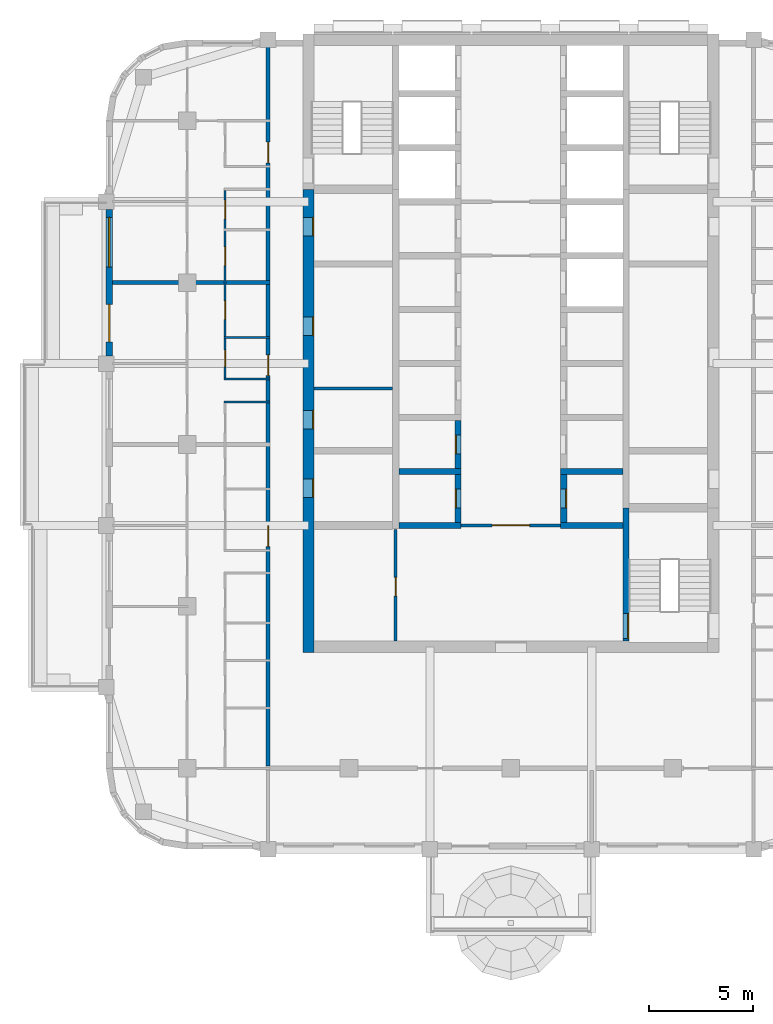
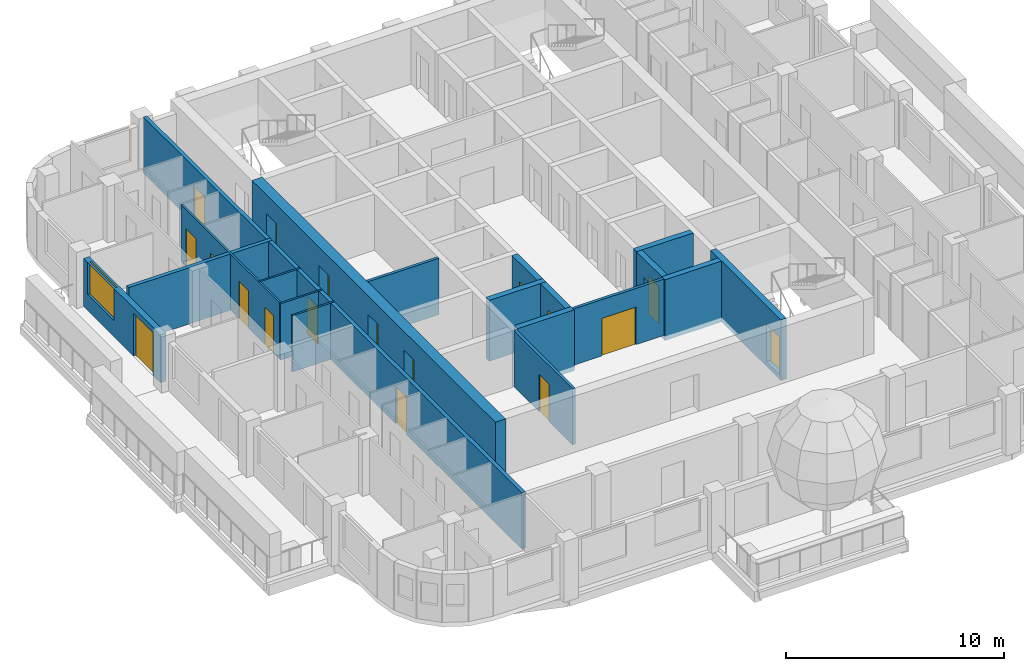
# One storey, part 4 of 14: 19 walls, 18 doors, 1 window, 19 openings.
"""IFC4 building model written with IfcOpenShell, lengths in metres."""

from ifc_helpers import new_model, si_unit, direction, frame, frame_2d, origin, place, context, subcontext, project, spatial, rectangle, extrude, material, layer, layer_set, type_object, element, fill, save


model = new_model("IFC4")

# Units and contexts
model_context = context("Model", 3, precision=1e-05, world=origin(), true_north=direction((0.0, 1.0)))
body_context = subcontext(model_context, "Body", "Model", "MODEL_VIEW")
ifc_project = project(units=[si_unit("LENGTHUNIT", "METRE"), si_unit("AREAUNIT", "SQUARE_METRE"), si_unit("VOLUMEUNIT", "CUBIC_METRE"), si_unit("PLANEANGLEUNIT", "RADIAN"), si_unit("MASSUNIT", "GRAM", prefix="KILO")], contexts=[model_context])

# Site, building, storey
site_placement = place(None, origin())
site = spatial("IfcSite", under=ifc_project, at=site_placement, CompositionType="ELEMENT")
building_placement = place(site_placement, origin())
building = spatial("IfcBuilding", under=site, at=building_placement, Name="Ludao Terraces", CompositionType="ELEMENT")
storey_placement = place(building_placement, frame((0.0, 0.0, 182.60009765625)))
storey = spatial("IfcBuildingStorey", under=building, at=storey_placement, Name="L49", CompositionType="ELEMENT", Elevation=182.60009765625)

# Wall, openings, doors
ifc_material_1 = material(Name="Concrete C60", Category="concrete")
ifc_layer_1 = layer(ifc_material_1, 0.550048828125)
ifc_layer_set_1 = layer_set([ifc_layer_1], Name="Core wall 550 C60")
wall_type_1 = type_object("IfcWallType", Name="Core wall 550 C60", PredefinedType="SOLIDWALL", material=ifc_layer_set_1)
wall_1_placement = place(storey_placement, frame((75.25, 54.97509765625, -0.25), z_axis=(0.0, 0.0, 1.0), x_axis=(0.0, 1.0, 0.0)))
wall_1 = element("IfcWall", 1, at=wall_1_placement, inside=storey, type_object=wall_type_1, Name="Core wall L49 outer-W", PredefinedType="SOLIDWALL", context=body_context, shape_type="SweptSolid", body=[
    extrude(rectangle(XDim=22.324951171875, YDim=0.550048828125, at=frame_2d((11.16259765625, 0.0))), origin(), (0.0, 0.0, 1.0), 3.39990234375),
])
opening_1_placement = place(wall_1_placement, frame((7.47509765625, 0.0, 0.25)))
opening_1 = element("IfcOpeningElement", 2, at=opening_1_placement, cuts=wall_1, Name="Opening R17-032", PredefinedType="OPENING", context=body_context, shape_type="SweptSolid", body=[
    extrude(rectangle(XDim=0.89990234375, YDim=2.10009765625, at=frame_2d((0.449951171875, 1.050048828125))), frame((0.0, 0.28515625, 0.0), z_axis=(0.0, -1.0, 0.0), x_axis=(1.0, 0.0, 0.0)), (0.0, 0.0, 1.0), 0.570068359375),
])
opening_2_placement = place(wall_1_placement, frame((10.77490234375, 0.0, 0.25)))
opening_2 = element("IfcOpeningElement", 3, at=opening_2_placement, cuts=wall_1, Name="Opening R17-041", PredefinedType="OPENING", context=body_context, shape_type="SweptSolid", body=[
    extrude(rectangle(XDim=0.89990234375, YDim=2.10009765625, at=frame_2d((0.449951171875, 1.050048828125))), frame((0.0, 0.28515625, 0.0), z_axis=(0.0, -1.0, 0.0), x_axis=(1.0, 0.0, 0.0)), (0.0, 0.0, 1.0), 0.570068359375),
])
opening_3_placement = place(wall_1_placement, frame((15.27490234375, 0.0, 0.25)))
opening_3 = element("IfcOpeningElement", 4, at=opening_3_placement, cuts=wall_1, Name="Opening R17-051", PredefinedType="OPENING", context=body_context, shape_type="SweptSolid", body=[
    extrude(rectangle(XDim=0.89990234375, YDim=2.10009765625, at=frame_2d((0.449951171875, 1.050048828125))), frame((0.0, 0.28515625, 0.0), z_axis=(0.0, -1.0, 0.0), x_axis=(1.0, 0.0, 0.0)), (0.0, 0.0, 1.0), 0.570068359375),
])
opening_4_placement = place(wall_1_placement, frame((20.074951171875, 0.0, 0.25)))
opening_4 = element("IfcOpeningElement", 5, at=opening_4_placement, cuts=wall_1, Name="Opening R17-066", PredefinedType="OPENING", context=body_context, shape_type="SweptSolid", body=[
    extrude(rectangle(XDim=0.89990234375, YDim=2.10009765625, at=frame_2d((0.449951171875, 1.050048828125))), frame((0.0, 0.28515625, 0.0), z_axis=(0.0, -1.0, 0.0), x_axis=(1.0, 0.0, 0.0)), (0.0, 0.0, 1.0), 0.570068359375),
])
ifc_material_2 = material(Name="Steel Q235", Category="steel")
door_type_1 = type_object("IfcDoorType", Name="INT Riser door 900", OperationType="SINGLE_SWING_LEFT", PredefinedType="DOOR", material=ifc_material_2)
door_1_placement = place(opening_1_placement, origin())
door_1 = element("IfcDoor", 6, at=door_1_placement, inside=storey, type_object=door_type_1, Name="DOOR 032", OperationType="SINGLE_SWING_RIGHT", OverallHeight=2.10009765625, OverallWidth=0.89990234375, PredefinedType="DOOR", context=body_context, shape_type="SweptSolid", body=[
    extrude(rectangle(XDim=0.89990234375, YDim=2.10009765625, at=frame_2d((0.449951171875, 1.050048828125))), frame((0.0, -0.2099609375, 0.0), z_axis=(0.0, -1.0, 0.0), x_axis=(1.0, 0.0, 0.0)), (0.0, 0.0, 1.0), 0.050048828125),
])
fill(opening_1, door_1)
door_2_placement = place(opening_4_placement, origin())
door_2 = element("IfcDoor", 7, at=door_2_placement, inside=storey, type_object=door_type_1, Name="DOOR 066", OperationType="SINGLE_SWING_RIGHT", OverallHeight=2.10009765625, OverallWidth=0.89990234375, PredefinedType="DOOR", context=body_context, shape_type="SweptSolid", body=[
    extrude(rectangle(XDim=0.89990234375, YDim=2.10009765625, at=frame_2d((0.449951171875, 1.050048828125))), frame((0.0, -0.2099609375, 0.0), z_axis=(0.0, -1.0, 0.0), x_axis=(1.0, 0.0, 0.0)), (0.0, 0.0, 1.0), 0.050048828125),
])
fill(opening_4, door_2)
ifc_material_3 = material(Name="Timber door leaf", Category="wood")
door_type_2 = type_object("IfcDoorType", Name="INT Room door 900", OperationType="SINGLE_SWING_LEFT", PredefinedType="DOOR", material=ifc_material_3)
door_3_placement = place(opening_2_placement, origin())
door_3 = element("IfcDoor", 8, at=door_3_placement, inside=storey, type_object=door_type_2, Name="DOOR 041", OperationType="SINGLE_SWING_RIGHT", OverallHeight=2.10009765625, OverallWidth=0.89990234375, PredefinedType="DOOR", context=body_context, shape_type="SweptSolid", body=[
    extrude(rectangle(XDim=0.89990234375, YDim=2.10009765625, at=frame_2d((0.449951171875, 1.050048828125))), frame((0.0, -0.2099609375, 0.0), z_axis=(0.0, -1.0, 0.0), x_axis=(1.0, 0.0, 0.0)), (0.0, 0.0, 1.0), 0.050048828125),
])
fill(opening_2, door_3)
door_4_placement = place(opening_3_placement, origin())
door_4 = element("IfcDoor", 9, at=door_4_placement, inside=storey, type_object=door_type_2, Name="DOOR 051", OperationType="SINGLE_SWING_LEFT", OverallHeight=2.10009765625, OverallWidth=0.89990234375, PredefinedType="DOOR", context=body_context, shape_type="SweptSolid", body=[
    extrude(rectangle(XDim=0.89990234375, YDim=2.10009765625, at=frame_2d((0.449951171875, 1.050048828125))), frame((0.0, -0.2099609375, 0.0), z_axis=(0.0, -1.0, 0.0), x_axis=(1.0, 0.0, 0.0)), (0.0, 0.0, 1.0), 0.050048828125),
])
fill(opening_3, door_4)

# Wall, openings, door, window
ifc_material_4 = material(Name="Granite cladding", Category="masonry")
ifc_layer_2 = layer(ifc_material_4, 0.0400390625, Category="stone")
ifc_material_5 = material(Name="Mineral wool")
ifc_layer_3 = layer(ifc_material_5, 0.06005859375)
ifc_material_6 = material(Name="Concrete C40", Category="concrete")
ifc_layer_4 = layer(ifc_material_6, 0.199951171875, Category="concrete")
ifc_layer_set_2 = layer_set([ifc_layer_2, ifc_layer_3, ifc_layer_4], Name="ENV Stone-clad wall 300")
wall_type_2 = type_object("IfcWallType", Name="ENV Stone-clad wall 300", PredefinedType="SOLIDWALL", material=ifc_layer_set_2)
wall_2_placement = place(storey_placement, frame((65.64990234375, 69.27490234375, 0.0), z_axis=(0.0, 0.0, 1.0), x_axis=(0.0, 1.0, 0.0)))
wall_2 = element("IfcWall", 10, at=wall_2_placement, inside=storey, type_object=wall_type_2, Name="EW-L49-W4", PredefinedType="SOLIDWALL", context=body_context, shape_type="SweptSolid", body=[
    extrude(rectangle(XDim=7.050048828125, YDim=0.300048828125, at=frame_2d((3.52490234375, 0.0))), origin(), (0.0, 0.0, 1.0), 2.699951171875),
])
opening_5_placement = place(wall_2_placement, frame((0.675048828125, 0.0, 0.0)))
opening_5 = element("IfcOpeningElement", 11, at=opening_5_placement, cuts=wall_2, Name="Opening BD", PredefinedType="OPENING", context=body_context, shape_type="SweptSolid", body=[
    extrude(rectangle(XDim=1.800048828125, YDim=2.39990234375, at=frame_2d((0.89990234375, 1.199951171875))), frame((0.0, 0.16015625, 0.0), z_axis=(0.0, -1.0, 0.0), x_axis=(1.0, 0.0, 0.0)), (0.0, 0.0, 1.0), 0.320068359375),
])
opening_6_placement = place(wall_2_placement, frame((4.27490234375, 0.0, 0.89990234375)))
opening_6 = element("IfcOpeningElement", 12, at=opening_6_placement, cuts=wall_2, Name="Opening W1", PredefinedType="OPENING", context=body_context, shape_type="SweptSolid", body=[
    extrude(rectangle(XDim=2.39990234375, YDim=1.800048828125, at=frame_2d((1.199951171875, 0.89990234375))), frame((0.0, 0.16015625, 0.0), z_axis=(0.0, -1.0, 0.0), x_axis=(1.0, 0.0, 0.0)), (0.0, 0.0, 1.0), 0.320068359375),
])
ifc_material_7 = material(Name="Aluminium glazed door", Category="aluminium")
ifc_layer_5 = layer(ifc_material_7, 0.06005859375)
ifc_layer_set_3 = layer_set([ifc_layer_5], Name="ENV Balcony door BD 1800x2400")
door_type_3 = type_object("IfcDoorType", Name="ENV Balcony door BD 1800x2400", OperationType="DOUBLE_DOOR_SINGLE_SWING", PredefinedType="DOOR", material=ifc_layer_set_3)
door_5_placement = place(opening_5_placement, origin())
door_5 = element("IfcDoor", 13, at=door_5_placement, inside=storey, type_object=door_type_3, Name="BD-L49-W4-1", OperationType="DOUBLE_DOOR_SINGLE_SWING", OverallHeight=2.39990234375, OverallWidth=1.800048828125, PredefinedType="DOOR", context=body_context, shape_type="SweptSolid", body=[
    extrude(rectangle(XDim=1.800048828125, YDim=2.39990234375, at=frame_2d((0.89990234375, 1.199951171875))), frame((0.0, 0.02490234375, 0.0), z_axis=(0.0, -1.0, 0.0), x_axis=(1.0, 0.0, 0.0)), (0.0, 0.0, 1.0), 0.050048828125),
])
fill(opening_5, door_5)
ifc_material_8 = material(Name="Clear glass in aluminium frame", Category="aluminium")
ifc_layer_6 = layer(ifc_material_8, 0.06005859375)
ifc_layer_set_4 = layer_set([ifc_layer_6], Name="ENV Window W1 2400x1800")
window_type = type_object("IfcWindowType", Name="ENV Window W1 2400x1800", PartitioningType="DOUBLE_PANEL_VERTICAL", PredefinedType="WINDOW", material=ifc_layer_set_4)
window_placement = place(opening_6_placement, origin())
window = element("IfcWindow", 14, at=window_placement, inside=storey, type_object=window_type, Name="W-L49-W4-2", OverallHeight=1.800048828125, OverallWidth=2.39990234375, PartitioningType="DOUBLE_PANEL_VERTICAL", PredefinedType="WINDOW", context=body_context, shape_type="SweptSolid", body=[
    extrude(rectangle(XDim=2.39990234375, YDim=1.800048828125, at=frame_2d((1.199951171875, 0.89990234375))), frame((0.0, 0.030029296875, 0.0), z_axis=(0.0, -1.0, 0.0), x_axis=(1.0, 0.0, 0.0)), (0.0, 0.0, 1.0), 0.06005859375),
])
fill(opening_6, window)

# Wall, opening, door
ifc_material_9 = material(Name="Fire-rated gypsum plasterboard", Category="gypsum")
ifc_layer_7 = layer(ifc_material_9, 0.012451171875, Category="gypsum")
ifc_layer_8 = layer(ifc_material_5, 0.10009765625, Name="insulation")
ifc_layer_9 = layer(ifc_material_2, 0.02490234375, Name="stud")
ifc_layer_10 = layer(ifc_material_9, 0.012451171875, Category="gypsum")
ifc_layer_set_5 = layer_set([ifc_layer_7, ifc_layer_8, ifc_layer_9, ifc_layer_10], Name="INT Core partition 150")
wall_type_3 = type_object("IfcWallType", Name="INT Core partition 150", PredefinedType="PARTITIONING", material=ifc_layer_set_5)
wall_3_placement = place(storey_placement, frame((82.60009765625, 61.10009765625, 0.0), z_axis=(0.0, 0.0, 1.0), x_axis=(1.0, 0.0, 0.0)))
wall_3 = element("IfcWall", 15, at=wall_3_placement, inside=storey, type_object=wall_type_3, Name="PW-L49-PW017", PredefinedType="PARTITIONING", context=body_context, shape_type="SweptSolid", body=[
    extrude(rectangle(XDim=4.800048828125, YDim=0.14990234375, at=frame_2d((2.39990234375, 0.0))), origin(), (0.0, 0.0, 1.0), 3.14990234375),
])
opening_7_placement = place(wall_3_placement, frame((1.5, 0.0, 0.0)))
opening_7 = element("IfcOpeningElement", 16, at=opening_7_placement, cuts=wall_3, Name="Opening R17-027", PredefinedType="OPENING", context=body_context, shape_type="SweptSolid", body=[
    extrude(rectangle(XDim=1.800048828125, YDim=2.10009765625, at=frame_2d((0.89990234375, 1.050048828125))), frame((0.0, 0.0849609375, 0.0), z_axis=(0.0, -1.0, 0.0), x_axis=(1.0, 0.0, 0.0)), (0.0, 0.0, 1.0), 0.169921875),
])
door_type_4 = type_object("IfcDoorType", Name="INT Fire lobby door 1800", OperationType="DOUBLE_DOOR_SINGLE_SWING", PredefinedType="DOOR", material=ifc_material_2)
door_6_placement = place(opening_7_placement, origin())
door_6 = element("IfcDoor", 17, at=door_6_placement, inside=storey, type_object=door_type_4, Name="DOOR 027", OperationType="DOUBLE_DOOR_SINGLE_SWING", OverallHeight=2.10009765625, OverallWidth=1.800048828125, PredefinedType="DOOR", context=body_context, shape_type="SweptSolid", body=[
    extrude(rectangle(XDim=1.800048828125, YDim=2.10009765625, at=frame_2d((0.89990234375, 1.050048828125))), frame((0.0, 0.02490234375, 0.0), z_axis=(0.0, -1.0, 0.0), x_axis=(1.0, 0.0, 0.0)), (0.0, 0.0, 1.0), 0.050048828125),
])
fill(opening_7, door_6)

# Wall
wall_4_placement = place(storey_placement, frame((75.525146484375, 67.699951171875, 0.0), z_axis=(0.0, 0.0, 1.0), x_axis=(1.0, 0.0, 0.0)))
element("IfcWall", 18, at=wall_4_placement, inside=storey, type_object=wall_type_3, Name="PW-L49-PW024", PredefinedType="PARTITIONING", context=body_context, shape_type="SweptSolid", body=[
    extrude(rectangle(XDim=3.77490234375, YDim=0.14990234375, at=frame_2d((1.887451171875, 0.0))), origin(), (0.0, 0.0, 1.0), 3.14990234375),
])

# Wall, opening, door
wall_5_placement = place(storey_placement, frame((79.449951171875, 55.525146484375, 0.0), z_axis=(0.0, 0.0, 1.0), x_axis=(0.0, 1.0, 0.0)))
wall_5 = element("IfcWall", 19, at=wall_5_placement, inside=storey, type_object=wall_type_3, Name="PW-L49-PW053", PredefinedType="PARTITIONING", context=body_context, shape_type="SweptSolid", body=[
    extrude(rectangle(XDim=5.375, YDim=0.14990234375, at=frame_2d((2.6875, 0.0))), origin(), (0.0, 0.0, 1.0), 3.14990234375),
])
opening_8_placement = place(wall_5_placement, frame((2.175048828125, 0.0, 0.0)))
opening_8 = element("IfcOpeningElement", 20, at=opening_8_placement, cuts=wall_5, Name="Opening R17-021", PredefinedType="OPENING", context=body_context, shape_type="SweptSolid", body=[
    extrude(rectangle(XDim=0.89990234375, YDim=2.10009765625, at=frame_2d((0.449951171875, 1.050048828125))), frame((0.0, 0.0849609375, 0.0), z_axis=(0.0, -1.0, 0.0), x_axis=(1.0, 0.0, 0.0)), (0.0, 0.0, 1.0), 0.169921875),
])
door_7_placement = place(opening_8_placement, origin())
door_7 = element("IfcDoor", 21, at=door_7_placement, inside=storey, type_object=door_type_2, Name="DOOR 021", OperationType="SINGLE_SWING_LEFT", OverallHeight=2.10009765625, OverallWidth=0.89990234375, PredefinedType="DOOR", context=body_context, shape_type="SweptSolid", body=[
    extrude(rectangle(XDim=0.89990234375, YDim=2.10009765625, at=frame_2d((0.449951171875, 1.050048828125))), frame((0.0, 0.02490234375, 0.0), z_axis=(0.0, -1.0, 0.0), x_axis=(1.0, 0.0, 0.0)), (0.0, 0.0, 1.0), 0.050048828125),
])
fill(opening_8, door_7)

# Wall, openings, doors
ifc_material_10 = material(Name="Autoclaved aerated concrete block B06 A3.5", Category="concrete")
ifc_layer_11 = layer(ifc_material_10, 0.199951171875)
ifc_layer_set_6 = layer_set([ifc_layer_11], Name="INT Entrance wall 200")
wall_type_4 = type_object("IfcWallType", Name="INT Entrance wall 200", PredefinedType="PARTITIONING", material=ifc_layer_set_6)
wall_6_placement = place(storey_placement, frame((73.300048828125, 49.5, 0.0), z_axis=(0.0, 0.0, 1.0), x_axis=(0.0, 1.0, 0.0)))
wall_6 = element("IfcWall", 22, at=wall_6_placement, inside=storey, type_object=wall_type_4, Name="PW-L49-PW052", PredefinedType="PARTITIONING", context=body_context, shape_type="SweptSolid", body=[
    extrude(rectangle(XDim=34.7001953125, YDim=0.199951171875, at=frame_2d((17.35009765625, 0.0))), origin(), (0.0, 0.0, 1.0), 3.14990234375),
])
opening_9_placement = place(wall_6_placement, frame((10.5751953125, 0.0, 0.0)))
opening_9 = element("IfcOpeningElement", 23, at=opening_9_placement, cuts=wall_6, Name="Opening R17-026", PredefinedType="OPENING", context=body_context, shape_type="SweptSolid", body=[
    extrude(rectangle(XDim=1.0, YDim=2.10009765625, at=frame_2d((0.5, 1.050048828125))), frame((0.0, 0.10986328125, 0.0), z_axis=(0.0, -1.0, 0.0), x_axis=(1.0, 0.0, 0.0)), (0.0, 0.0, 1.0), 0.219970703125),
])
opening_10_placement = place(wall_6_placement, frame((18.8251953125, 0.0, 0.0)))
opening_10 = element("IfcOpeningElement", 24, at=opening_10_placement, cuts=wall_6, Name="Opening R17-046", PredefinedType="OPENING", context=body_context, shape_type="SweptSolid", body=[
    extrude(rectangle(XDim=1.0, YDim=2.10009765625, at=frame_2d((0.5, 1.050048828125))), frame((0.0, 0.10986328125, 0.0), z_axis=(0.0, -1.0, 0.0), x_axis=(1.0, 0.0, 0.0)), (0.0, 0.0, 1.0), 0.219970703125),
])
opening_11_placement = place(wall_6_placement, frame((29.0751953125, 0.0, 0.0)))
opening_11 = element("IfcOpeningElement", 25, at=opening_11_placement, cuts=wall_6, Name="Opening R17-079", PredefinedType="OPENING", context=body_context, shape_type="SweptSolid", body=[
    extrude(rectangle(XDim=1.0, YDim=2.10009765625, at=frame_2d((0.5, 1.050048828125))), frame((0.0, 0.10986328125, 0.0), z_axis=(0.0, -1.0, 0.0), x_axis=(1.0, 0.0, 0.0)), (0.0, 0.0, 1.0), 0.219970703125),
])
door_type_5 = type_object("IfcDoorType", Name="INT Flat entrance door 1000", OperationType="SINGLE_SWING_LEFT", PredefinedType="DOOR", material=ifc_material_2)
door_8_placement = place(opening_9_placement, origin())
door_8 = element("IfcDoor", 26, at=door_8_placement, inside=storey, type_object=door_type_5, Name="DOOR 026", OperationType="SINGLE_SWING_RIGHT", OverallHeight=2.10009765625, OverallWidth=1.0, PredefinedType="DOOR", context=body_context, shape_type="SweptSolid", body=[
    extrude(rectangle(XDim=1.0, YDim=2.10009765625, at=frame_2d((0.5, 1.050048828125))), frame((0.0, 0.02490234375, 0.0), z_axis=(0.0, -1.0, 0.0), x_axis=(1.0, 0.0, 0.0)), (0.0, 0.0, 1.0), 0.050048828125),
])
fill(opening_9, door_8)
door_9_placement = place(opening_10_placement, origin())
door_9 = element("IfcDoor", 27, at=door_9_placement, inside=storey, type_object=door_type_5, Name="DOOR 046", OperationType="SINGLE_SWING_RIGHT", OverallHeight=2.10009765625, OverallWidth=1.0, PredefinedType="DOOR", context=body_context, shape_type="SweptSolid", body=[
    extrude(rectangle(XDim=1.0, YDim=2.10009765625, at=frame_2d((0.5, 1.050048828125))), frame((0.0, 0.02490234375, 0.0), z_axis=(0.0, -1.0, 0.0), x_axis=(1.0, 0.0, 0.0)), (0.0, 0.0, 1.0), 0.050048828125),
])
fill(opening_10, door_9)
door_10_placement = place(opening_11_placement, origin())
door_10 = element("IfcDoor", 28, at=door_10_placement, inside=storey, type_object=door_type_5, Name="DOOR 079", OperationType="SINGLE_SWING_RIGHT", OverallHeight=2.10009765625, OverallWidth=1.0, PredefinedType="DOOR", context=body_context, shape_type="SweptSolid", body=[
    extrude(rectangle(XDim=1.0, YDim=2.10009765625, at=frame_2d((0.5, 1.050048828125))), frame((0.0, 0.02490234375, 0.0), z_axis=(0.0, -1.0, 0.0), x_axis=(1.0, 0.0, 0.0)), (0.0, 0.0, 1.0), 0.050048828125),
])
fill(opening_11, door_10)

# Walls
ifc_material_11 = material(Name="Gypsum plasterboard", Category="gypsum")
ifc_layer_12 = layer(ifc_material_11, 0.012451171875, Category="gypsum")
ifc_layer_13 = layer(ifc_material_5, 0.06005859375, Name="insulation")
ifc_layer_14 = layer(ifc_material_2, 0.014892578125, Name="stud")
ifc_layer_15 = layer(ifc_material_11, 0.012451171875, Category="gypsum")
ifc_layer_set_7 = layer_set([ifc_layer_12, ifc_layer_13, ifc_layer_14, ifc_layer_15], Name="INT Partition 100")
wall_type_5 = type_object("IfcWallType", Name="INT Partition 100", PredefinedType="PARTITIONING", material=ifc_layer_set_7)
for number, where, z_axis, x_axis, name in (
    (29, (71.18017578125, 67.050048828125, 0.0), (0.0, 0.0, 1.0), (1.0, 0.0, 0.0), "PW-L49-PW022"),
    (30, (71.18017578125, 68.14990234375, 0.0), (0.0, 0.0, 1.0), (1.0, 0.0, 0.0), "PW-L49-PW025"),
    (31, (71.18017578125, 70.14990234375, 0.0), (0.0, 0.0, 1.0), (1.0, 0.0, 0.0), "PW-L49-PW029"),
):
    element("IfcWall", number, at=place(storey_placement, frame(where, z_axis=z_axis, x_axis=x_axis)), inside=storey, type_object=wall_type_5, Name=name, PredefinedType="PARTITIONING", context=body_context, shape_type="SweptSolid", body=[
        extrude(rectangle(XDim=2.219970703125, YDim=0.10009765625, at=frame_2d((1.10986328125, 0.0))), origin(), (0.0, 0.0, 1.0), 3.14990234375),
    ])

# Wall, openings, doors
wall_7_placement = place(storey_placement, frame((71.22998046875, 68.2001953125, 0.0), z_axis=(0.0, 0.0, 1.0), x_axis=(0.0, 1.0, 0.0)))
wall_7 = element("IfcWall", 32, at=wall_7_placement, inside=storey, type_object=wall_type_5, Name="PW-L49-PW049", PredefinedType="PARTITIONING", context=body_context, shape_type="SweptSolid", body=[
    extrude(rectangle(XDim=9.0498046875, YDim=0.10009765625, at=frame_2d((4.52490234375, 0.0))), origin(), (0.0, 0.0, 1.0), 3.14990234375),
])
opening_12_placement = place(wall_7_placement, frame((0.5498046875, 0.0, 0.0)))
opening_12 = element("IfcOpeningElement", 33, at=opening_12_placement, cuts=wall_7, Name="Opening R17-047", PredefinedType="OPENING", context=body_context, shape_type="SweptSolid", body=[
    extrude(rectangle(XDim=0.800048828125, YDim=2.10009765625, at=frame_2d((0.39990234375, 1.050048828125))), frame((0.0, 0.06005859375, 0.0), z_axis=(0.0, -1.0, 0.0), x_axis=(1.0, 0.0, 0.0)), (0.0, 0.0, 1.0), 0.1201171875),
])
opening_13_placement = place(wall_7_placement, frame((2.824951171875, 0.0, 0.0)))
opening_13 = element("IfcOpeningElement", 34, at=opening_13_placement, cuts=wall_7, Name="Opening R17-054", PredefinedType="OPENING", context=body_context, shape_type="SweptSolid", body=[
    extrude(rectangle(XDim=0.89990234375, YDim=2.10009765625, at=frame_2d((0.449951171875, 1.050048828125))), frame((0.0, 0.06005859375, 0.0), z_axis=(0.0, -1.0, 0.0), x_axis=(1.0, 0.0, 0.0)), (0.0, 0.0, 1.0), 0.1201171875),
])
opening_14_placement = place(wall_7_placement, frame((5.4248046875, 0.0, 0.0)))
opening_14 = element("IfcOpeningElement", 35, at=opening_14_placement, cuts=wall_7, Name="Opening R17-060", PredefinedType="OPENING", context=body_context, shape_type="SweptSolid", body=[
    extrude(rectangle(XDim=0.89990234375, YDim=2.10009765625, at=frame_2d((0.449951171875, 1.050048828125))), frame((0.0, 0.06005859375, 0.0), z_axis=(0.0, -1.0, 0.0), x_axis=(1.0, 0.0, 0.0)), (0.0, 0.0, 1.0), 0.1201171875),
])
opening_15_placement = place(wall_7_placement, frame((7.6748046875, 0.0, 0.0)))
opening_15 = element("IfcOpeningElement", 36, at=opening_15_placement, cuts=wall_7, Name="Opening R17-069", PredefinedType="OPENING", context=body_context, shape_type="SweptSolid", body=[
    extrude(rectangle(XDim=0.89990234375, YDim=2.10009765625, at=frame_2d((0.449951171875, 1.050048828125))), frame((0.0, 0.06005859375, 0.0), z_axis=(0.0, -1.0, 0.0), x_axis=(1.0, 0.0, 0.0)), (0.0, 0.0, 1.0), 0.1201171875),
])
door_type_6 = type_object("IfcDoorType", Name="INT Bathroom door 900", OperationType="SINGLE_SWING_LEFT", PredefinedType="DOOR", material=ifc_material_3)
door_11_placement = place(opening_15_placement, origin())
door_11 = element("IfcDoor", 37, at=door_11_placement, inside=storey, type_object=door_type_6, Name="DOOR 069", OperationType="SINGLE_SWING_RIGHT", OverallHeight=2.10009765625, OverallWidth=0.89990234375, PredefinedType="DOOR", context=body_context, shape_type="SweptSolid", body=[
    extrude(rectangle(XDim=0.89990234375, YDim=2.10009765625, at=frame_2d((0.449951171875, 1.050048828125))), frame((0.0, 0.02490234375, 0.0), z_axis=(0.0, -1.0, 0.0), x_axis=(1.0, 0.0, 0.0)), (0.0, 0.0, 1.0), 0.050048828125),
])
fill(opening_15, door_11)
door_12_placement = place(opening_13_placement, origin())
door_12 = element("IfcDoor", 38, at=door_12_placement, inside=storey, type_object=door_type_2, Name="DOOR 054", OperationType="SINGLE_SWING_RIGHT", OverallHeight=2.10009765625, OverallWidth=0.89990234375, PredefinedType="DOOR", context=body_context, shape_type="SweptSolid", body=[
    extrude(rectangle(XDim=0.89990234375, YDim=2.10009765625, at=frame_2d((0.449951171875, 1.050048828125))), frame((0.0, 0.02490234375, 0.0), z_axis=(0.0, -1.0, 0.0), x_axis=(1.0, 0.0, 0.0)), (0.0, 0.0, 1.0), 0.050048828125),
])
fill(opening_13, door_12)
door_13_placement = place(opening_14_placement, origin())
door_13 = element("IfcDoor", 39, at=door_13_placement, inside=storey, type_object=door_type_2, Name="DOOR 060", OperationType="SINGLE_SWING_RIGHT", OverallHeight=2.10009765625, OverallWidth=0.89990234375, PredefinedType="DOOR", context=body_context, shape_type="SweptSolid", body=[
    extrude(rectangle(XDim=0.89990234375, YDim=2.10009765625, at=frame_2d((0.449951171875, 1.050048828125))), frame((0.0, 0.02490234375, 0.0), z_axis=(0.0, -1.0, 0.0), x_axis=(1.0, 0.0, 0.0)), (0.0, 0.0, 1.0), 0.050048828125),
])
fill(opening_14, door_13)
door_type_7 = type_object("IfcDoorType", Name="INT Store door 800", OperationType="SINGLE_SWING_LEFT", PredefinedType="DOOR", material=ifc_material_3)
door_14_placement = place(opening_12_placement, origin())
door_14 = element("IfcDoor", 40, at=door_14_placement, inside=storey, type_object=door_type_7, Name="DOOR 047", OperationType="SINGLE_SWING_RIGHT", OverallHeight=2.10009765625, OverallWidth=0.800048828125, PredefinedType="DOOR", context=body_context, shape_type="SweptSolid", body=[
    extrude(rectangle(XDim=0.800048828125, YDim=2.10009765625, at=frame_2d((0.39990234375, 1.050048828125))), frame((0.0, 0.02490234375, 0.0), z_axis=(0.0, -1.0, 0.0), x_axis=(1.0, 0.0, 0.0)), (0.0, 0.0, 1.0), 0.050048828125),
])
fill(opening_12, door_14)

# Wall
ifc_layer_16 = layer(ifc_material_10, 0.199951171875)
ifc_layer_set_8 = layer_set([ifc_layer_16], Name="INT Party wall 200")
wall_type_6 = type_object("IfcWallType", Name="INT Party wall 200", PredefinedType="PARTITIONING", material=ifc_layer_set_8)
wall_8_placement = place(storey_placement, frame((65.800048828125, 72.800048828125, 0.0), z_axis=(0.0, 0.0, 1.0), x_axis=(1.0, 0.0, 0.0)))
element("IfcWall", 41, at=wall_8_placement, inside=storey, type_object=wall_type_6, Name="PW-L49-PW031", PredefinedType="PARTITIONING", context=body_context, shape_type="SweptSolid", body=[
    extrude(rectangle(XDim=7.60009765625, YDim=0.199951171875, at=frame_2d((3.800048828125, 0.0))), origin(), (0.0, 0.0, 1.0), 3.14990234375),
])

# Wall, opening, door
ifc_material_12 = material(Name="Concrete C55", Category="concrete")
ifc_layer_17 = layer(ifc_material_12, 0.300048828125)
ifc_layer_set_9 = layer_set([ifc_layer_17], Name="Shaft wall 300 C55")
wall_type_7 = type_object("IfcWallType", Name="Shaft wall 300 C55", PredefinedType="SOLIDWALL", material=ifc_layer_set_9)
wall_9_placement = place(storey_placement, frame((90.550048828125, 55.52490234375, -0.25), z_axis=(0.0, 0.0, 1.0), x_axis=(0.0, 1.0, 0.0)))
wall_9 = element("IfcWall", 42, at=wall_9_placement, inside=storey, type_object=wall_type_7, Name="Core wall L49 back-E-S3", PredefinedType="SOLIDWALL", context=body_context, shape_type="SweptSolid", body=[
    extrude(rectangle(XDim=6.425048828125, YDim=0.300048828125, at=frame_2d((3.21240234375, 0.0))), origin(), (0.0, 0.0, 1.0), 3.39990234375),
])
opening_16_placement = place(wall_9_placement, frame((0.125, 0.0, 0.25)))
opening_16 = element("IfcOpeningElement", 43, at=opening_16_placement, cuts=wall_9, Name="Opening R17-016", PredefinedType="OPENING", context=body_context, shape_type="SweptSolid", body=[
    extrude(rectangle(XDim=1.199951171875, YDim=2.10009765625, at=frame_2d((0.60009765625, 1.050048828125))), frame((0.0, 0.16015625, 0.0), z_axis=(0.0, -1.0, 0.0), x_axis=(1.0, 0.0, 0.0)), (0.0, 0.0, 1.0), 0.320068359375),
])
door_type_8 = type_object("IfcDoorType", Name="INT Stair door 1200", OperationType="DOUBLE_DOOR_SINGLE_SWING", PredefinedType="DOOR", material=ifc_material_2)
door_15_placement = place(opening_16_placement, origin())
door_15 = element("IfcDoor", 44, at=door_15_placement, inside=storey, type_object=door_type_8, Name="DOOR 016", OperationType="DOUBLE_DOOR_SINGLE_SWING", OverallHeight=2.10009765625, OverallWidth=1.199951171875, PredefinedType="DOOR", context=body_context, shape_type="SweptSolid", body=[
    extrude(rectangle(XDim=1.199951171875, YDim=2.10009765625, at=frame_2d((0.60009765625, 1.050048828125))), frame((0.0, -0.0849609375, 0.0), z_axis=(0.0, -1.0, 0.0), x_axis=(1.0, 0.0, 0.0)), (0.0, 0.0, 1.0), 0.050048828125),
])
fill(opening_16, door_15)

# Wall
wall_10_placement = place(storey_placement, frame((79.60009765625, 61.10009765625, -0.25), z_axis=(0.0, 0.0, 1.0), x_axis=(1.0, 0.0, 0.0)))
element("IfcWall", 45, at=wall_10_placement, inside=storey, type_object=wall_type_7, Name="Core wall L49 div-W1", PredefinedType="SOLIDWALL", context=body_context, shape_type="SweptSolid", body=[
    extrude(rectangle(XDim=3.0, YDim=0.300048828125, at=frame_2d((1.5, 0.0))), origin(), (0.0, 0.0, 1.0), 3.39990234375),
])

# Wall, opening, door
wall_11_placement = place(storey_placement, frame((82.449951171875, 61.25, -0.25), z_axis=(0.0, 0.0, 1.0), x_axis=(0.0, 1.0, 0.0)))
wall_11 = element("IfcWall", 46, at=wall_11_placement, inside=storey, type_object=wall_type_7, Name="Core wall L49 front-W1", PredefinedType="SOLIDWALL", context=body_context, shape_type="SweptSolid", body=[
    extrude(rectangle(XDim=2.300048828125, YDim=0.300048828125, at=frame_2d((1.14990234375, 0.0))), origin(), (0.0, 0.0, 1.0), 3.39990234375),
])
opening_17_placement = place(wall_11_placement, frame((0.699951171875, 0.0, 0.25)))
opening_17 = element("IfcOpeningElement", 47, at=opening_17_placement, cuts=wall_11, Name="Opening R17-029", PredefinedType="OPENING", context=body_context, shape_type="SweptSolid", body=[
    extrude(rectangle(XDim=0.89990234375, YDim=2.10009765625, at=frame_2d((0.449951171875, 1.050048828125))), frame((0.0, 0.16015625, 0.0), z_axis=(0.0, -1.0, 0.0), x_axis=(1.0, 0.0, 0.0)), (0.0, 0.0, 1.0), 0.320068359375),
])
door_16_placement = place(opening_17_placement, origin())
door_16 = element("IfcDoor", 48, at=door_16_placement, inside=storey, type_object=door_type_2, Name="DOOR 029", OperationType="SINGLE_SWING_RIGHT", OverallHeight=2.10009765625, OverallWidth=0.89990234375, PredefinedType="DOOR", context=body_context, shape_type="SweptSolid", body=[
    extrude(rectangle(XDim=0.89990234375, YDim=2.10009765625, at=frame_2d((0.449951171875, 1.050048828125))), frame((0.0, 0.13525390625, 0.0), z_axis=(0.0, -1.0, 0.0), x_axis=(1.0, 0.0, 0.0)), (0.0, 0.0, 1.0), 0.050048828125),
])
fill(opening_17, door_16)

# Wall
wall_12_placement = place(storey_placement, frame((79.60009765625, 63.699951171875, -0.25), z_axis=(0.0, 0.0, 1.0), x_axis=(1.0, 0.0, 0.0)))
element("IfcWall", 49, at=wall_12_placement, inside=storey, type_object=wall_type_7, Name="Core wall L49 div-W2", PredefinedType="SOLIDWALL", context=body_context, shape_type="SweptSolid", body=[
    extrude(rectangle(XDim=3.0, YDim=0.300048828125, at=frame_2d((1.5, 0.0))), origin(), (0.0, 0.0, 1.0), 3.39990234375),
])

# Wall, opening, door
wall_13_placement = place(storey_placement, frame((82.449951171875, 63.85009765625, -0.25), z_axis=(0.0, 0.0, 1.0), x_axis=(0.0, 1.0, 0.0)))
wall_13 = element("IfcWall", 50, at=wall_13_placement, inside=storey, type_object=wall_type_7, Name="Core wall L49 front-W2", PredefinedType="SOLIDWALL", context=body_context, shape_type="SweptSolid", body=[
    extrude(rectangle(XDim=2.2998046875, YDim=0.300048828125, at=frame_2d((1.14990234375, 0.0))), origin(), (0.0, 0.0, 1.0), 3.39990234375),
])
opening_18_placement = place(wall_13_placement, frame((0.699951171875, 0.0, 0.25)))
opening_18 = element("IfcOpeningElement", 51, at=opening_18_placement, cuts=wall_13, Name="Opening R17-036", PredefinedType="OPENING", context=body_context, shape_type="SweptSolid", body=[
    extrude(rectangle(XDim=0.89990234375, YDim=2.10009765625, at=frame_2d((0.449951171875, 1.050048828125))), frame((0.0, 0.16015625, 0.0), z_axis=(0.0, -1.0, 0.0), x_axis=(1.0, 0.0, 0.0)), (0.0, 0.0, 1.0), 0.320068359375),
])
door_17_placement = place(opening_18_placement, origin())
door_17 = element("IfcDoor", 52, at=door_17_placement, inside=storey, type_object=door_type_2, Name="DOOR 036", OperationType="SINGLE_SWING_LEFT", OverallHeight=2.10009765625, OverallWidth=0.89990234375, PredefinedType="DOOR", context=body_context, shape_type="SweptSolid", body=[
    extrude(rectangle(XDim=0.89990234375, YDim=2.10009765625, at=frame_2d((0.449951171875, 1.050048828125))), frame((0.0, 0.13525390625, 0.0), z_axis=(0.0, -1.0, 0.0), x_axis=(1.0, 0.0, 0.0)), (0.0, 0.0, 1.0), 0.050048828125),
])
fill(opening_18, door_17)

# Wall
wall_14_placement = place(storey_placement, frame((87.39990234375, 61.10009765625, -0.25), z_axis=(0.0, 0.0, 1.0), x_axis=(1.0, 0.0, 0.0)))
element("IfcWall", 53, at=wall_14_placement, inside=storey, type_object=wall_type_7, Name="Core wall L49 div-E1", PredefinedType="SOLIDWALL", context=body_context, shape_type="SweptSolid", body=[
    extrude(rectangle(XDim=3.0, YDim=0.300048828125, at=frame_2d((1.5, 0.0))), origin(), (0.0, 0.0, 1.0), 3.39990234375),
])

# Wall, opening, door
wall_15_placement = place(storey_placement, frame((87.550048828125, 61.25, -0.25), z_axis=(0.0, 0.0, 1.0), x_axis=(0.0, 1.0, 0.0)))
wall_15 = element("IfcWall", 54, at=wall_15_placement, inside=storey, type_object=wall_type_7, Name="Core wall L49 front-E1", PredefinedType="SOLIDWALL", context=body_context, shape_type="SweptSolid", body=[
    extrude(rectangle(XDim=2.300048828125, YDim=0.300048828125, at=frame_2d((1.14990234375, 0.0))), origin(), (0.0, 0.0, 1.0), 3.39990234375),
])
opening_19_placement = place(wall_15_placement, frame((0.699951171875, 0.0, 0.25)))
opening_19 = element("IfcOpeningElement", 55, at=opening_19_placement, cuts=wall_15, Name="Opening R17-030", PredefinedType="OPENING", context=body_context, shape_type="SweptSolid", body=[
    extrude(rectangle(XDim=0.89990234375, YDim=2.10009765625, at=frame_2d((0.449951171875, 1.050048828125))), frame((0.0, 0.16015625, 0.0), z_axis=(0.0, -1.0, 0.0), x_axis=(1.0, 0.0, 0.0)), (0.0, 0.0, 1.0), 0.320068359375),
])
door_18_placement = place(opening_19_placement, origin())
door_18 = element("IfcDoor", 56, at=door_18_placement, inside=storey, type_object=door_type_2, Name="DOOR 030", OperationType="SINGLE_SWING_LEFT", OverallHeight=2.10009765625, OverallWidth=0.89990234375, PredefinedType="DOOR", context=body_context, shape_type="SweptSolid", body=[
    extrude(rectangle(XDim=0.89990234375, YDim=2.10009765625, at=frame_2d((0.449951171875, 1.050048828125))), frame((0.0, -0.0849609375, 0.0), z_axis=(0.0, -1.0, 0.0), x_axis=(1.0, 0.0, 0.0)), (0.0, 0.0, 1.0), 0.050048828125),
])
fill(opening_19, door_18)

# Wall
wall_16_placement = place(storey_placement, frame((87.39990234375, 63.699951171875, -0.25), z_axis=(0.0, 0.0, 1.0), x_axis=(1.0, 0.0, 0.0)))
element("IfcWall", 57, at=wall_16_placement, inside=storey, type_object=wall_type_7, Name="Core wall L49 div-E2", PredefinedType="SOLIDWALL", context=body_context, shape_type="SweptSolid", body=[
    extrude(rectangle(XDim=3.0, YDim=0.300048828125, at=frame_2d((1.5, 0.0))), origin(), (0.0, 0.0, 1.0), 3.39990234375),
])

save(model, "model.ifc")
